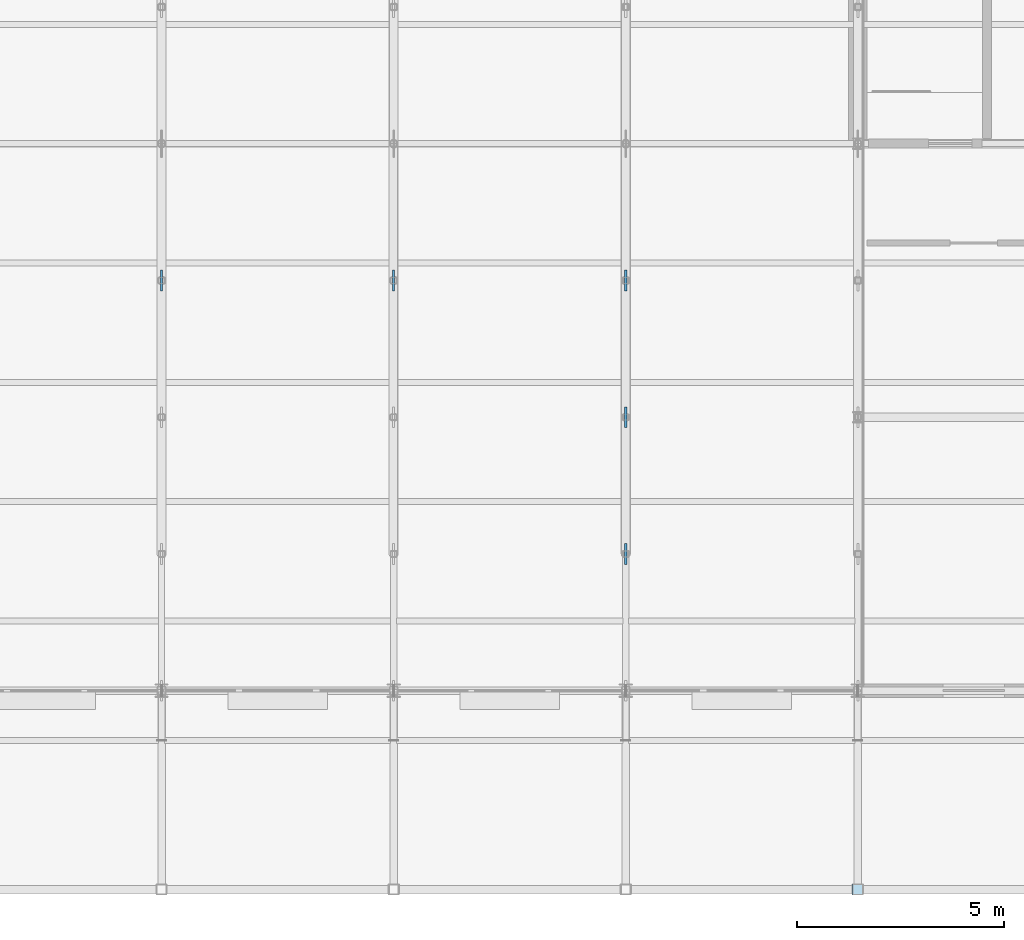
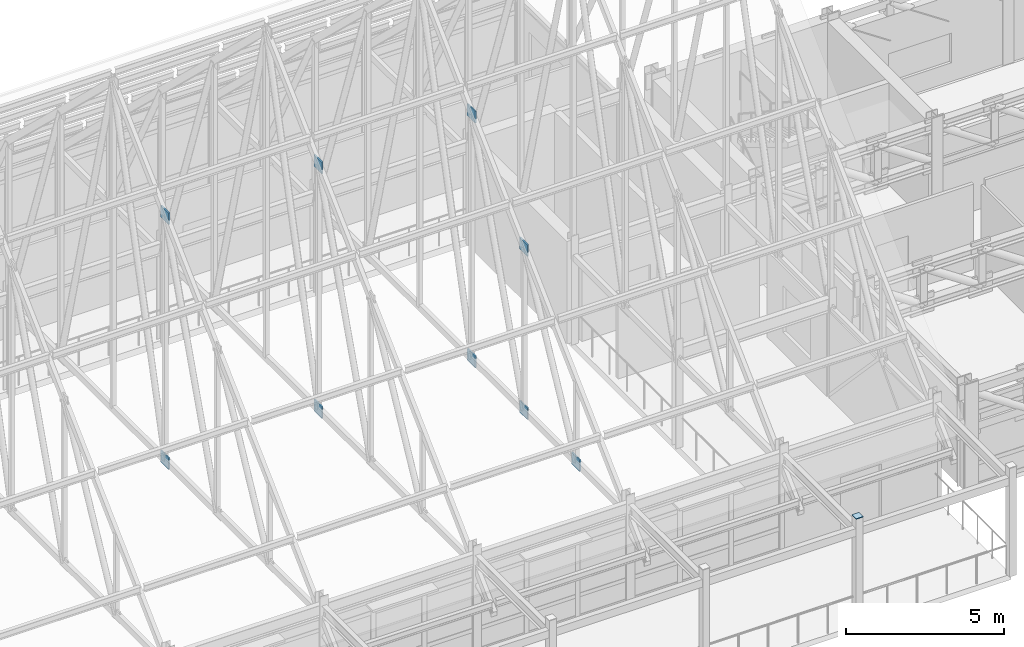
# One storey, part 108 of 144: 10 plates.
"""IFC4 building model written with IfcOpenShell, lengths in metres."""

from ifc_helpers import new_model, si_unit, direction, frame, origin, origin_2d, place, context, subcontext, project, spatial, rectangle, extrude, material, layer, layer_set, type_object, element, save


model = new_model("IFC4")

# Units and contexts
model_context = context("Model", 3, precision=1e-05, world=origin(), true_north=direction((0.0, 1.0)))
body_context = subcontext(model_context, "Body", "Model", "MODEL_VIEW")
ifc_project = project(units=[si_unit("LENGTHUNIT", "METRE"), si_unit("AREAUNIT", "SQUARE_METRE"), si_unit("VOLUMEUNIT", "CUBIC_METRE"), si_unit("PLANEANGLEUNIT", "RADIAN"), si_unit("MASSUNIT", "GRAM", prefix="KILO")], contexts=[model_context])

# Site, building, storey
site_placement = place(None, origin())
site = spatial("IfcSite", under=ifc_project, at=site_placement, CompositionType="ELEMENT")
building_placement = place(site_placement, origin())
building = spatial("IfcBuilding", under=site, at=building_placement, Name="Trelmorton Wharf Fire Station", CompositionType="ELEMENT")
storey_placement = place(building_placement, frame((0.0, 0.0, 5.39990234375)))
storey = spatial("IfcBuildingStorey", under=building, at=storey_placement, Name="L01", CompositionType="ELEMENT", Elevation=5.39990234375)

# Plates
ifc_material = material(Name="Steel Grade 350", Category="steel")
ifc_layer_1 = layer(ifc_material, 0.02001953125)
ifc_layer_set_1 = layer_set([ifc_layer_1], Name="Steel Grade 350")
plate_type_1 = type_object("IfcPlateType", Name="PL_ENDCAP_20", PredefinedType="SHEET", material=ifc_layer_set_1)
plate_placement = place(storey_placement, frame((51.199951171875, 3.0, 4.1982421875), z_axis=(0.0, 0.0, 1.0), x_axis=(1.0, 0.0, 0.0)))
element("IfcPlate", 1, at=plate_placement, inside=storey, type_object=plate_type_1, Name="PL-COLCAP-T-0318", PredefinedType="SHEET", context=body_context, shape_type="SweptSolid", body=[
    extrude(rectangle(XDim=0.27001953125, YDim=0.27001953125, at=origin_2d()), origin(), (0.0, 0.0, 1.0), 0.02392578125),
])
ifc_layer_2 = layer(ifc_material, 0.050048828125)
ifc_layer_set_2 = layer_set([ifc_layer_2], Name="Steel Grade 350")
plate_type_2 = type_object("IfcPlateType", Name="PL_GUSSET_TN2", PredefinedType="USERDEFINED", material=ifc_layer_set_2)
for number, where, z_axis, x_axis, name in (
    (2, (34.39990234375, 17.699951171875, 12.5771484375), (0.0, 0.0, 1.0), (1.0, 0.0, 0.0), "PL-TN-0189"),
    (3, (34.39990234375, 17.699951171875, 3.126953125), (0.0, 0.0, 1.0), (1.0, 0.0, 0.0), "PL-TN-0190"),
    (4, (40.0, 17.699951171875, 12.5771484375), (0.0, 0.0, 1.0), (1.0, 0.0, 0.0), "PL-TN-0202"),
    (5, (40.0, 17.699951171875, 3.126953125), (0.0, 0.0, 1.0), (1.0, 0.0, 0.0), "PL-TN-0203"),
    (6, (45.60009765625, 11.10009765625, 3.126953125), (0.0, 0.0, 1.0), (1.0, 0.0, 0.0), "PL-TN-0212"),
    (7, (45.60009765625, 14.39990234375, 9.4267578125), (0.0, 0.0, 1.0), (1.0, 0.0, 0.0), "PL-TN-0213"),
    (8, (45.60009765625, 14.39990234375, 3.126953125), (0.0, 0.0, 1.0), (1.0, 0.0, 0.0), "PL-TN-0214"),
    (9, (45.60009765625, 17.699951171875, 12.5771484375), (0.0, 0.0, 1.0), (1.0, 0.0, 0.0), "PL-TN-0215"),
    (10, (45.60009765625, 17.699951171875, 3.126953125), (0.0, 0.0, 1.0), (1.0, 0.0, 0.0), "PL-TN-0216"),
):
    element("IfcPlate", number, at=place(storey_placement, frame(where, z_axis=z_axis, x_axis=x_axis)), inside=storey, type_object=plate_type_2, Name=name, ObjectType="GUSSET PLATE", PredefinedType="USERDEFINED", context=body_context, shape_type="SweptSolid", body=[
        extrude(rectangle(XDim=0.050048828125, YDim=0.5, at=origin_2d()), origin(), (0.0, 0.0, 1.0), 0.449951171875),
    ])

save(model, "model.ifc")
